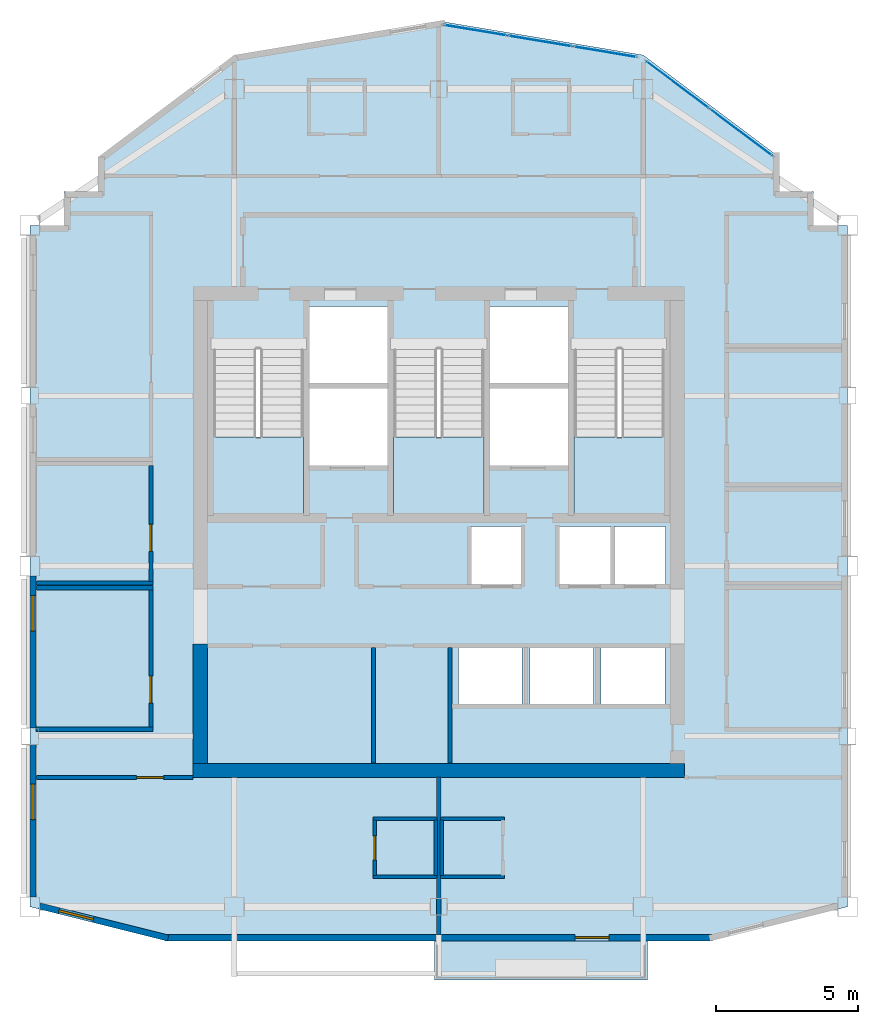
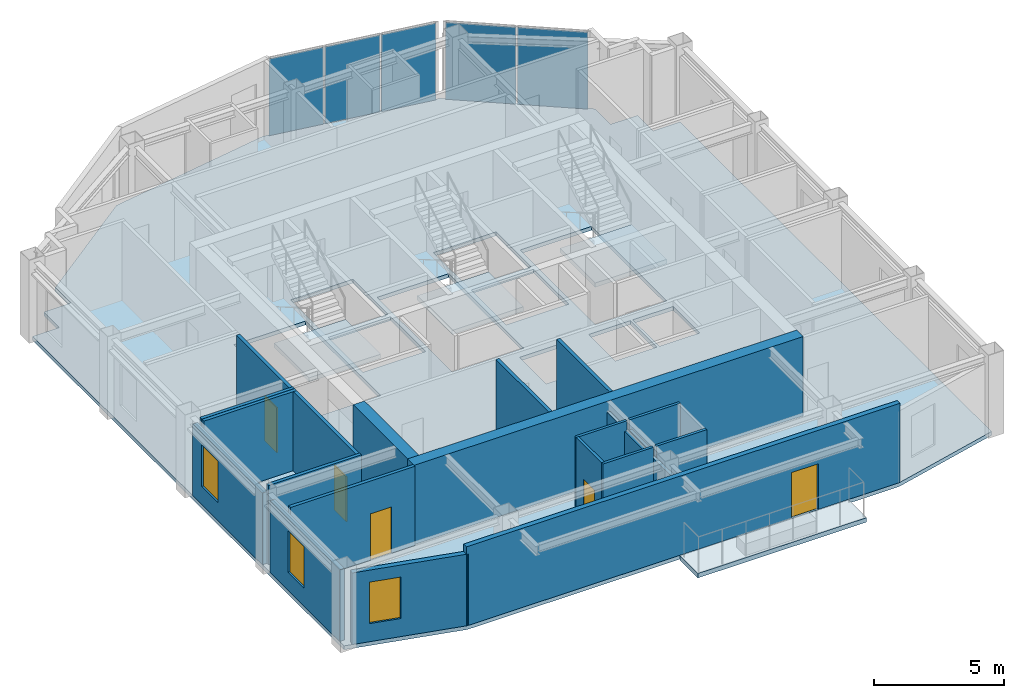
# One storey, part 4 of 8: 22 walls, 5 doors, 5 plates, 5 slabs, 3 windows, 8 openings, 5 elements without a shape of their own.
"""IFC4 building model written with IfcOpenShell, lengths in metres."""

from ifc_helpers import new_model, si_unit, direction, frame, frame_2d, origin, origin_2d, place, context, subcontext, project, spatial, polyline, rectangle, outline, extrude, material, layer, layer_set, type_object, element, fill, aggregate, save


model = new_model("IFC4")

# Units and contexts
model_context = context("Model", 3, precision=1e-05, world=origin(), true_north=direction((0.0, 1.0)))
body_context = subcontext(model_context, "Body", "Model", "MODEL_VIEW")
ifc_project = project(units=[si_unit("LENGTHUNIT", "METRE"), si_unit("AREAUNIT", "SQUARE_METRE"), si_unit("VOLUMEUNIT", "CUBIC_METRE"), si_unit("PLANEANGLEUNIT", "RADIAN"), si_unit("MASSUNIT", "GRAM", prefix="KILO")], contexts=[model_context])

# Site, building, storey
site_placement = place(None, origin())
site = spatial("IfcSite", under=ifc_project, at=site_placement, CompositionType="ELEMENT")
building_placement = place(site_placement, origin())
building = spatial("IfcBuilding", under=site, at=building_placement, Name="Haolan Belvedere Tower", CompositionType="ELEMENT")
storey_placement = place(building_placement, frame((0.0, 0.0, 293.89990234375)))
storey = spatial("IfcBuildingStorey", under=building, at=storey_placement, Name="L74", CompositionType="ELEMENT", Elevation=293.89990234375)

# Curtain wall, plates
ifc_material_1 = material(Name="Anodised champagne-silver aluminium 6063-T6 and Low-E glass", Category="aluminium")
ifc_layer_1 = layer(ifc_material_1, 0.14501953125, Name="Anodised champagne-silver aluminium 6063-T6 and Low-E glass")
ifc_layer_set_1 = layer_set([ifc_layer_1], Name="Anodised champagne-silver aluminium 6063-T6 and Low-E glass")
curtain_wall_type = type_object("IfcCurtainWallType", Name="CW-SYS-05", PredefinedType="NOTDEFINED", material=ifc_layer_set_1)
curtain_wall_1_placement = place(storey_placement, origin())
curtain_wall_1 = element("IfcCurtainWall", 1, at=curtain_wall_1_placement, inside=storey, type_object=curtain_wall_type, Name="L74 CW-SYS-05 ribbon curtain wall 8.1", PredefinedType="NOTDEFINED")
ifc_material_2 = material(Name="Double silver Low-E laminated insulating glass", Category="glass")
ifc_layer_2 = layer(ifc_material_2, 0.02197265625, Name="Double silver Low-E laminated insulating glass")
ifc_layer_set_2 = layer_set([ifc_layer_2], Name="Double silver Low-E laminated insulating glass")
plate_type = type_object("IfcPlateType", Name="CW-SYS-05-PNL", PredefinedType="CURTAIN_PANEL", material=ifc_layer_set_2)
plate_1_placement = place(storey_placement, frame((49.03955078125, 48.8828125, 0.050048828125), z_axis=(0.0, 0.0, 1.0), x_axis=(-0.799997871638, 0.600002837806, 0.0)))
plate_1 = element("IfcPlate", 2, at=plate_1_placement, type_object=plate_type, Name="CW-05 panel 1.1", PredefinedType="CURTAIN_PANEL", context=body_context, shape_type="SweptSolid", body=[
    extrude(rectangle(XDim=2.738037109375, YDim=0.02197265625, at=origin_2d()), origin(), (0.0, 0.0, 1.0), 3.6201171875),
])
plate_2_placement = place(storey_placement, frame((46.805908203125, 50.55810546875, 0.050048828125), z_axis=(0.0, 0.0, 1.0), x_axis=(-0.799997871638, 0.600002837806, 0.0)))
plate_2 = element("IfcPlate", 3, at=plate_2_placement, type_object=plate_type, Name="CW-05 panel 2.1", PredefinedType="CURTAIN_PANEL", context=body_context, shape_type="SweptSolid", body=[
    extrude(rectangle(XDim=2.738037109375, YDim=0.02197265625, at=origin_2d()), origin(), (0.0, 0.0, 1.0), 3.6201171875),
])
aggregate(curtain_wall_1, [plate_1, plate_2])

curtain_wall_2_placement = place(storey_placement, origin())
curtain_wall_2 = element("IfcCurtainWall", 4, at=curtain_wall_2_placement, inside=storey, type_object=curtain_wall_type, Name="L74 CW-SYS-05 ribbon curtain wall 9.1", PredefinedType="NOTDEFINED")
plate_3_placement = place(storey_placement, frame((44.257568359375, 51.712158203125, 0.050048828125), z_axis=(0.0, 0.0, 1.0), x_axis=(-0.98639276122, 0.164405962825, 0.0)))
plate_3 = element("IfcPlate", 5, at=plate_3_placement, type_object=plate_type, Name="CW-05 panel 1.1", PredefinedType="CURTAIN_PANEL", context=body_context, shape_type="SweptSolid", body=[
    extrude(rectangle(XDim=2.24365234375, YDim=0.02197265625, at=origin_2d()), origin(), (0.0, 0.0, 1.0), 3.6201171875),
])
plate_4_placement = place(storey_placement, frame((41.977783203125, 52.09228515625, 0.050048828125), z_axis=(0.0, 0.0, 1.0), x_axis=(-0.98639276122, 0.164405962825, 0.0)))
plate_4 = element("IfcPlate", 6, at=plate_4_placement, type_object=plate_type, Name="CW-05 panel 2.1", PredefinedType="CURTAIN_PANEL", context=body_context, shape_type="SweptSolid", body=[
    extrude(rectangle(XDim=2.270751953125, YDim=0.02197265625, at=origin_2d()), origin(), (0.0, 0.0, 1.0), 3.6201171875),
])
plate_5_placement = place(storey_placement, frame((39.697998046875, 52.47216796875, 0.050048828125), z_axis=(0.0, 0.0, 1.0), x_axis=(-0.98639276122, 0.164405962825, 0.0)))
plate_5 = element("IfcPlate", 7, at=plate_5_placement, type_object=plate_type, Name="CW-05 panel 3.1", PredefinedType="CURTAIN_PANEL", context=body_context, shape_type="SweptSolid", body=[
    extrude(rectangle(XDim=2.24365234375, YDim=0.02197265625, at=origin_2d()), origin(), (0.0, 0.0, 1.0), 3.6201171875),
])
aggregate(curtain_wall_2, [plate_3, plate_4, plate_5])

# Slabs
ifc_material_3 = material(Name="Concrete C40/50", Category="concrete")
ifc_layer_3 = layer(ifc_material_3, 0.2099609375, Name="Concrete C40/50")
ifc_layer_set_3 = layer_set([ifc_layer_3], Name="Concrete C40/50")
slab_type_1 = type_object("IfcSlabType", Name="SL-BAL-210", PredefinedType="FLOOR", material=ifc_layer_set_3)
slab_1_placement = place(storey_placement, frame((0.0, 0.0, -0.22998046875)))
element("IfcSlab", 8, at=slab_1_placement, inside=storey, type_object=slab_type_1, Name="L74 structural tree-planter balcony slab BAL-L74-S1", PredefinedType="FLOOR", context=body_context, shape_type="SweptSolid", body=[
    extrude(outline(polyline([(38.25, 19.02001953125), (45.75, 19.02001953125), (45.75, 20.39990234375), (38.25, 20.39990234375), (38.25, 19.02001953125)])), origin(), (0.0, 0.0, 1.0), 0.2099609375),
])
ifc_layer_4 = layer(ifc_material_3, 0.179931640625, Name="Concrete C40/50")
ifc_layer_set_4 = layer_set([ifc_layer_4], Name="Concrete C40/50")
slab_type_2 = type_object("IfcSlabType", Name="SL-FLR-180", PredefinedType="FLOOR", material=ifc_layer_set_4)
slab_2_placement = place(storey_placement, frame((0.0, 0.0, -0.179931640625)))
element("IfcSlab", 9, at=slab_2_placement, inside=storey, type_object=slab_type_2, Name="L74 structural floor slab", PredefinedType="FLOOR", context=body_context, shape_type="SweptSolid", body=[
    extrude(outline(polyline([(24.0, 21.60009765625), (28.800048828125, 20.39990234375), (48.0, 20.39990234375), (52.800048828125, 21.60009765625), (52.800048828125, 45.60009765625), (52.800048828125, 45.60009765625), (51.60009765625, 45.60009765625), (51.60009765625, 46.800048828125), (50.39990234375, 46.800048828125), (50.39990234375, 48.0), (45.60009765625, 51.60009765625), (38.39990234375, 52.800048828125), (31.199951171875, 51.60009765625), (26.39990234375, 48.0), (26.39990234375, 46.800048828125), (25.199951171875, 46.800048828125), (25.199951171875, 45.60009765625), (24.0, 45.60009765625), (24.0, 45.60009765625), (24.0, 21.60009765625)]), holes=[polyline([(30.449951171875, 41.22998046875), (30.449951171875, 35.449951171875), (33.6298828125, 35.449951171875), (33.6298828125, 41.22998046875), (30.449951171875, 41.22998046875)]), polyline([(36.81005859375, 41.22998046875), (36.81005859375, 35.449951171875), (39.989990234375, 35.449951171875), (39.989990234375, 41.22998046875), (36.81005859375, 41.22998046875)]), polyline([(43.169921875, 41.22998046875), (43.169921875, 35.449951171875), (46.35009765625, 35.449951171875), (46.35009765625, 41.22998046875), (43.169921875, 41.22998046875)]), polyline([(33.830078125, 40.050048828125), (36.610107421875, 40.050048828125), (36.610107421875, 42.75), (33.830078125, 42.75), (33.830078125, 40.050048828125)]), polyline([(33.830078125, 37.14990234375), (36.610107421875, 37.14990234375), (36.610107421875, 39.85009765625), (33.830078125, 39.85009765625), (33.830078125, 37.14990234375)]), polyline([(40.18994140625, 40.050048828125), (42.969970703125, 40.050048828125), (42.969970703125, 42.75), (40.18994140625, 42.75), (40.18994140625, 40.050048828125)]), polyline([(40.18994140625, 37.14990234375), (42.969970703125, 37.14990234375), (42.969970703125, 39.85009765625), (40.18994140625, 39.85009765625), (40.18994140625, 37.14990234375)]), polyline([(39.5400390625, 32.949951171875), (41.389892578125, 32.949951171875), (41.389892578125, 35.0), (39.5400390625, 35.0), (39.5400390625, 32.949951171875)]), polyline([(42.6201171875, 32.949951171875), (44.469970703125, 32.949951171875), (44.469970703125, 35.0), (42.6201171875, 35.0), (42.6201171875, 32.949951171875)]), polyline([(44.580078125, 32.949951171875), (46.3798828125, 32.949951171875), (46.3798828125, 35.0), (44.580078125, 35.0), (44.580078125, 32.949951171875)]), polyline([(39.10009765625, 28.75), (41.340087890625, 28.75), (41.340087890625, 30.75), (39.10009765625, 30.75), (39.10009765625, 28.75)]), polyline([(41.610107421875, 28.75), (43.85009765625, 28.75), (43.85009765625, 30.75), (41.610107421875, 30.75), (41.610107421875, 28.75)]), polyline([(44.1201171875, 28.75), (46.360107421875, 28.75), (46.360107421875, 30.75), (44.1201171875, 30.75), (44.1201171875, 28.75)])]), origin(), (0.0, 0.0, 1.0), 0.179931640625),
])

# Stair, slab
stair_type = type_object("IfcStairType", Name="STR-DL-24R-163", PredefinedType="HALF_TURN_STAIR", material=ifc_material_3)
stair_1_placement = place(storey_placement, origin())
stair_1 = element("IfcStair", 10, at=stair_1_placement, inside=storey, type_object=stair_type, Name="L74 Smokeproof Core Exit Stair ST1", PredefinedType="HALF_TURN_STAIR")
ifc_layer_5 = layer(ifc_material_3, 0.199951171875, Name="Concrete C40/50")
ifc_layer_set_5 = layer_set([ifc_layer_5], Name="Concrete C40/50")
slab_type_3 = type_object("IfcSlabType", Name="SL-LAND-200", PredefinedType="LANDING", material=ifc_layer_set_5)
slab_3_placement = place(storey_placement, frame((0.0, 0.0, 1.75)))
slab_3 = element("IfcSlab", 11, at=slab_3_placement, type_object=slab_type_3, Name="ST1 landing 1", PredefinedType="LANDING", context=body_context, shape_type="SweptSolid", body=[
    extrude(outline(polyline([(30.449951171875, 38.14990234375), (30.449951171875, 35.449951171875), (33.6298828125, 35.449951171875), (33.6298828125, 38.14990234375), (30.449951171875, 38.14990234375)])), origin(), (0.0, 0.0, 1.0), 0.2001953125),
])
aggregate(stair_1, [slab_3])

stair_2_placement = place(storey_placement, origin())
stair_2 = element("IfcStair", 12, at=stair_2_placement, inside=storey, type_object=stair_type, Name="L74 Smokeproof Core Exit Stair ST3", PredefinedType="HALF_TURN_STAIR")
slab_4_placement = place(storey_placement, frame((0.0, 0.0, 1.75)))
slab_4 = element("IfcSlab", 13, at=slab_4_placement, type_object=slab_type_3, Name="ST3 landing 1", PredefinedType="LANDING", context=body_context, shape_type="SweptSolid", body=[
    extrude(outline(polyline([(36.81005859375, 38.14990234375), (36.81005859375, 35.449951171875), (39.989990234375, 35.449951171875), (39.989990234375, 38.14990234375), (36.81005859375, 38.14990234375)])), origin(), (0.0, 0.0, 1.0), 0.2001953125),
])
aggregate(stair_2, [slab_4])

stair_3_placement = place(storey_placement, origin())
stair_3 = element("IfcStair", 14, at=stair_3_placement, inside=storey, type_object=stair_type, Name="L74 Smokeproof Core Exit Stair ST2", PredefinedType="HALF_TURN_STAIR")
slab_5_placement = place(storey_placement, frame((0.0, 0.0, 1.75)))
slab_5 = element("IfcSlab", 15, at=slab_5_placement, type_object=slab_type_3, Name="ST2 landing 1", PredefinedType="LANDING", context=body_context, shape_type="SweptSolid", body=[
    extrude(outline(polyline([(43.169921875, 38.14990234375), (43.169921875, 35.449951171875), (46.35009765625, 35.449951171875), (46.35009765625, 38.14990234375), (43.169921875, 38.14990234375)])), origin(), (0.0, 0.0, 1.0), 0.2001953125),
])
aggregate(stair_3, [slab_5])

# Walls
ifc_material_4 = material(Name="Concrete C50/60", Category="concrete")
ifc_layer_6 = layer(ifc_material_4, 0.5, Name="Concrete C50/60")
ifc_layer_set_6 = layer_set([ifc_layer_6], Name="Concrete C50/60")
wall_type_1 = type_object("IfcWallType", Name="WL-CORE-500", PredefinedType="SHEAR", material=ifc_layer_set_6)
wall_1_placement = place(storey_placement, frame((29.75, 26.39990234375, 0.0), z_axis=(0.0, 0.0, 1.0), x_axis=(1.0, 0.0, 0.0)))
element("IfcWall", 16, at=wall_1_placement, inside=storey, type_object=wall_type_1, Name="L74 central core south shear wall", PredefinedType="SHEAR", context=body_context, shape_type="SweptSolid", body=[
    extrude(rectangle(XDim=17.300048828125, YDim=0.5, at=frame_2d((8.64990234375, 0.0))), origin(), (0.0, 0.0, 1.0), 3.72021484375),
])
wall_2_placement = place(storey_placement, frame((30.0, 26.64990234375, 0.0), z_axis=(0.0, 0.0, 1.0), x_axis=(0.0, 1.0, 0.0)))
element("IfcWall", 17, at=wall_2_placement, inside=storey, type_object=wall_type_1, Name="L74 central core shear wall WS", PredefinedType="SHEAR", context=body_context, shape_type="SweptSolid", body=[
    extrude(rectangle(XDim=4.2001953125, YDim=0.5, at=frame_2d((2.10009765625, 0.0))), origin(), (0.0, 0.0, 1.0), 3.72021484375),
])

# Wall, opening, door
ifc_material_5 = material(Name="Precast concrete C40/50", Category="concrete")
ifc_layer_7 = layer(ifc_material_5, 0.219970703125, Name="Precast concrete C40/50")
ifc_layer_set_7 = layer_set([ifc_layer_7], Name="Precast concrete C40/50")
wall_type_2 = type_object("IfcWallType", Name="WL-EXT-220", PredefinedType="SOLIDWALL", material=ifc_layer_set_7)
wall_3_placement = place(storey_placement, frame((28.758544921875, 20.510009765625, 0.0), z_axis=(0.0, 0.0, 1.0), x_axis=(1.0, 0.0, 0.0)))
wall_3 = element("IfcWall", 18, at=wall_3_placement, inside=storey, type_object=wall_type_2, Name="L74 pale-metal exterior spandrel wall 1.1", PredefinedType="SOLIDWALL", context=body_context, shape_type="SweptSolid", body=[
    extrude(rectangle(XDim=19.282958984375, YDim=0.219970703125, at=frame_2d((9.6416015625, 0.0))), origin(), (0.0, 0.0, 1.0), 3.72021484375),
])
opening_1_placement = place(wall_3_placement, frame((15.641357421875, 0.0, 0.0), z_axis=(0.0, 0.0, 1.0), x_axis=(-1.0, 0.0, 0.0)))
opening_1 = element("IfcOpeningElement", 19, at=opening_1_placement, cuts=wall_3, Name="Opening BD-01", PredefinedType="OPENING", context=body_context, shape_type="SweptSolid", body=[
    extrude(rectangle(XDim=1.199951171875, YDim=2.14990234375, at=frame_2d((0.60009765625, 1.074951171875))), frame((0.0, 0.119873046875, 0.0), z_axis=(0.0, -1.0, 0.0), x_axis=(1.0, 0.0, 0.0)), (0.0, 0.0, 1.0), 0.239990234375),
])
ifc_material_6 = material(Name="Thermally broken pale-metal aluminium and Low-E glass", Category="aluminium")
door_type_1 = type_object("IfcDoorType", Name="DR-BAL-1200", OperationType="NOTDEFINED", PredefinedType="DOOR", material=ifc_material_6)
door_1_placement = place(opening_1_placement, origin())
door_1 = element("IfcDoor", 20, at=door_1_placement, inside=storey, type_object=door_type_1, Name="L74 tree-balcony access door 1", OperationType="SINGLE_SWING_RIGHT", OverallHeight=2.14990234375, OverallWidth=1.199951171875, PredefinedType="DOOR", context=body_context, shape_type="SweptSolid", body=[
    extrude(rectangle(XDim=1.199951171875, YDim=2.14990234375, at=frame_2d((0.60009765625, 1.074951171875))), frame((0.0, 0.02490234375, 0.0), z_axis=(0.0, -1.0, 0.0), x_axis=(1.0, 0.0, 0.0)), (0.0, 0.0, 1.0), 0.050048828125),
])
fill(opening_1, door_1)

# Wall, opening, window
wall_4_placement = place(storey_placement, frame((24.110107421875, 33.258056640625, 0.0), z_axis=(0.0, 0.0, 1.0), x_axis=(0.0, -1.0, 0.0)))
wall_4 = element("IfcWall", 21, at=wall_4_placement, inside=storey, type_object=wall_type_2, Name="L74 pale-metal exterior spandrel wall 16.3", PredefinedType="SOLIDWALL", context=body_context, shape_type="SweptSolid", body=[
    extrude(rectangle(XDim=5.365966796875, YDim=0.219970703125, at=frame_2d((2.68310546875, 0.0))), origin(), (0.0, 0.0, 1.0), 3.364990234375),
])
opening_2_placement = place(wall_4_placement, frame((0.699951171875, 0.0, 0.85009765625)))
opening_2 = element("IfcOpeningElement", 22, at=opening_2_placement, cuts=wall_4, Name="Opening W-04", PredefinedType="OPENING", context=body_context, shape_type="SweptSolid", body=[
    extrude(rectangle(XDim=1.25, YDim=1.949951171875, at=frame_2d((0.625, 0.97509765625))), frame((0.0, 0.119873046875, 0.0), z_axis=(0.0, -1.0, 0.0), x_axis=(1.0, 0.0, 0.0)), (0.0, 0.0, 1.0), 0.239990234375),
])
ifc_material_7 = material(Name="Anodised aluminium 6063-T6 and Low-E glass", Category="aluminium")
window_type = type_object("IfcWindowType", Name="WN-DECO-Z4", PartitioningType="SINGLE_PANEL", PredefinedType="WINDOW", material=ifc_material_7)
window_1_placement = place(opening_2_placement, origin())
window_1 = element("IfcWindow", 23, at=window_1_placement, inside=storey, type_object=window_type, Name="L74 Art Deco chevron window 1", OverallHeight=1.949951171875, OverallWidth=1.25, PartitioningType="SINGLE_PANEL", PredefinedType="WINDOW", context=body_context, shape_type="SweptSolid", body=[
    extrude(rectangle(XDim=1.25, YDim=1.949951171875, at=frame_2d((0.625, 0.97509765625))), frame((0.0, 0.030029296875, 0.0), z_axis=(0.0, -1.0, 0.0), x_axis=(1.0, 0.0, 0.0)), (0.0, 0.0, 1.0), 0.06005859375),
])
fill(opening_2, window_1)

wall_5_placement = place(storey_placement, frame((24.110107421875, 27.30810546875, 0.0), z_axis=(0.0, 0.0, 1.0), x_axis=(0.0, -1.0, 0.0)))
wall_5 = element("IfcWall", 24, at=wall_5_placement, inside=storey, type_object=wall_type_2, Name="L74 pale-metal exterior spandrel wall 16.4", PredefinedType="SOLIDWALL", context=body_context, shape_type="SweptSolid", body=[
    extrude(rectangle(XDim=5.3662109375, YDim=0.219970703125, at=frame_2d((2.68310546875, 0.0))), origin(), (0.0, 0.0, 1.0), 3.364990234375),
])
opening_3_placement = place(wall_5_placement, frame((1.39306640625, 0.0, 0.85009765625)))
opening_3 = element("IfcOpeningElement", 25, at=opening_3_placement, cuts=wall_5, Name="Opening W-04", PredefinedType="OPENING", context=body_context, shape_type="SweptSolid", body=[
    extrude(rectangle(XDim=1.25, YDim=1.949951171875, at=frame_2d((0.625, 0.97509765625))), frame((0.0, 0.119873046875, 0.0), z_axis=(0.0, -1.0, 0.0), x_axis=(1.0, 0.0, 0.0)), (0.0, 0.0, 1.0), 0.239990234375),
])
window_2_placement = place(opening_3_placement, origin())
window_2 = element("IfcWindow", 26, at=window_2_placement, inside=storey, type_object=window_type, Name="L74 Art Deco chevron window 1", OverallHeight=1.949951171875, OverallWidth=1.25, PartitioningType="SINGLE_PANEL", PredefinedType="WINDOW", context=body_context, shape_type="SweptSolid", body=[
    extrude(rectangle(XDim=1.25, YDim=1.949951171875, at=frame_2d((0.625, 0.97509765625))), frame((0.0, 0.030029296875, 0.0), z_axis=(0.0, -1.0, 0.0), x_axis=(1.0, 0.0, 0.0)), (0.0, 0.0, 1.0), 0.06005859375),
])
fill(opening_3, window_2)

wall_6_placement = place(storey_placement, frame((24.342041015625, 21.6279296875, 0.0), z_axis=(0.0, 0.0, 1.0), x_axis=(0.970136341762, -0.242560257242, 0.0)))
wall_6 = element("IfcWall", 27, at=wall_6_placement, inside=storey, type_object=wall_type_2, Name="L74 pale-metal exterior spandrel wall 17.1", PredefinedType="SOLIDWALL", context=body_context, shape_type="SweptSolid", body=[
    extrude(rectangle(XDim=4.664306640625, YDim=0.219970703125, at=frame_2d((2.33203125, 0.0))), origin(), (0.0, 0.0, 1.0), 3.364990234375),
])
opening_4_placement = place(wall_6_placement, frame((0.699951171875, 0.0, 0.85009765625)))
opening_4 = element("IfcOpeningElement", 28, at=opening_4_placement, cuts=wall_6, Name="Opening W-04", PredefinedType="OPENING", context=body_context, shape_type="SweptSolid", body=[
    extrude(rectangle(XDim=1.25, YDim=1.949951171875, at=frame_2d((0.625, 0.97509765625))), frame((0.0, 0.119873046875, 0.0), z_axis=(0.0, -1.0, 0.0), x_axis=(1.0, 0.0, 0.0)), (0.0, 0.0, 1.0), 0.239990234375),
])
window_3_placement = place(opening_4_placement, origin())
window_3 = element("IfcWindow", 29, at=window_3_placement, inside=storey, type_object=window_type, Name="L74 Art Deco chevron window 1", OverallHeight=1.949951171875, OverallWidth=1.25, PartitioningType="SINGLE_PANEL", PredefinedType="WINDOW", context=body_context, shape_type="SweptSolid", body=[
    extrude(rectangle(XDim=1.25, YDim=1.949951171875, at=frame_2d((0.625, 0.97509765625))), frame((0.0, 0.030029296875, 0.0), z_axis=(0.0, -1.0, 0.0), x_axis=(1.0, 0.0, 0.0)), (0.0, 0.0, 1.0), 0.06005859375),
])
fill(opening_4, window_3)

# Walls
ifc_material_8 = material(Name="Double gypsum acoustic stud partition", Category="masonry")
ifc_layer_8 = layer(ifc_material_8, 0.14990234375, Name="Double gypsum acoustic stud partition")
ifc_layer_set_8 = layer_set([ifc_layer_8], Name="Double gypsum acoustic stud partition")
wall_type_3 = type_object("IfcWallType", Name="WL-PART-150", PredefinedType="PARTITIONING", material=ifc_layer_set_8)
wall_7_placement = place(storey_placement, frame((36.10009765625, 26.659912109375, 0.0), z_axis=(0.0, 0.0, 1.0), x_axis=(0.0, 1.0, 0.0)))
element("IfcWall", 30, at=wall_7_placement, inside=storey, type_object=wall_type_3, Name="L74 interior partition IW-L74-DIV-REUSE-PM", PredefinedType="PARTITIONING", context=body_context, shape_type="SweptSolid", body=[
    extrude(rectangle(XDim=4.0751953125, YDim=0.14990234375, at=frame_2d((2.03759765625, 0.0))), origin(), (0.0, 0.0, 1.0), 3.72021484375),
])
wall_8_placement = place(storey_placement, frame((24.2119140625, 33.0, 0.0), z_axis=(0.0, 0.0, 1.0), x_axis=(1.0, 0.0, 0.0)))
element("IfcWall", 31, at=wall_8_placement, inside=storey, type_object=wall_type_3, Name="L74 interior partition IW-L74-HSK-S", PredefinedType="PARTITIONING", context=body_context, shape_type="SweptSolid", body=[
    extrude(rectangle(XDim=4.128173828125, YDim=0.14990234375, at=frame_2d((2.06396484375, 0.0))), origin(), (0.0, 0.0, 1.0), 3.72021484375),
])

# Wall, opening, door
wall_9_placement = place(storey_placement, frame((28.260009765625, 33.06005859375, 0.0), z_axis=(0.0, 0.0, 1.0), x_axis=(0.0, 1.0, 0.0)))
wall_9 = element("IfcWall", 32, at=wall_9_placement, inside=storey, type_object=wall_type_3, Name="L74 interior partition IW-L74-HSK-E", PredefinedType="PARTITIONING", context=body_context, shape_type="SweptSolid", body=[
    extrude(rectangle(XDim=4.079833984375, YDim=0.14990234375, at=frame_2d((2.0400390625, 0.0))), origin(), (0.0, 0.0, 1.0), 3.72021484375),
])
opening_5_placement = place(wall_9_placement, frame((2.010009765625, 0.0, 0.0), z_axis=(0.0, 0.0, 1.0), x_axis=(-1.0, 0.0, 0.0)))
opening_5 = element("IfcOpeningElement", 33, at=opening_5_placement, cuts=wall_9, Name="Opening ID-03", PredefinedType="OPENING", context=body_context, shape_type="SweptSolid", body=[
    extrude(rectangle(XDim=0.949951171875, YDim=2.1201171875, at=frame_2d((0.47509765625, 1.06005859375))), frame((0.0, 0.0849609375, 0.0), z_axis=(0.0, -1.0, 0.0), x_axis=(1.0, 0.0, 0.0)), (0.0, 0.0, 1.0), 0.169921875),
])
ifc_material_9 = material(Name="Painted solid-core timber", Category="wood")
door_type_2 = type_object("IfcDoorType", Name="DR-INT-950", OperationType="NOTDEFINED", PredefinedType="DOOR", material=ifc_material_9)
door_2_placement = place(opening_5_placement, origin())
door_2 = element("IfcDoor", 34, at=door_2_placement, inside=storey, type_object=door_type_2, Name="L74 door ID-L74-HSK", OperationType="SINGLE_SWING_LEFT", OverallHeight=2.1201171875, OverallWidth=0.949951171875, PredefinedType="DOOR", context=body_context, shape_type="SweptSolid", body=[
    extrude(rectangle(XDim=0.949951171875, YDim=2.1201171875, at=frame_2d((0.47509765625, 1.06005859375))), frame((0.0, 0.02490234375, 0.0), z_axis=(0.0, -1.0, 0.0), x_axis=(1.0, 0.0, 0.0)), (0.0, 0.0, 1.0), 0.050048828125),
])
fill(opening_5, door_2)

# Walls
for number, where, z_axis, x_axis, name in (
    (35, (24.2119140625, 32.840087890625, 0.0), (0.0, 0.0, 1.0), (1.0, 0.0, 0.0), "L74 interior partition IW-L74-PKTW-N"),
    (36, (24.2119140625, 27.85009765625, 0.0), (0.0, 0.0, 1.0), (1.0, 0.0, 0.0), "L74 interior partition IW-L74-PKTW-S"),
):
    element("IfcWall", number, at=place(storey_placement, frame(where, z_axis=z_axis, x_axis=x_axis)), inside=storey, type_object=wall_type_3, Name=name, PredefinedType="PARTITIONING", context=body_context, shape_type="SweptSolid", body=[
        extrude(rectangle(XDim=4.128173828125, YDim=0.14990234375, at=frame_2d((2.06396484375, 0.0))), origin(), (0.0, 0.0, 1.0), 3.72021484375),
    ])

# Wall, opening, door
wall_10_placement = place(storey_placement, frame((28.260009765625, 27.909912109375, 0.0), z_axis=(0.0, 0.0, 1.0), x_axis=(0.0, 1.0, 0.0)))
wall_10 = element("IfcWall", 37, at=wall_10_placement, inside=storey, type_object=wall_type_3, Name="L74 interior partition IW-L74-PKTW-E", PredefinedType="PARTITIONING", context=body_context, shape_type="SweptSolid", body=[
    extrude(rectangle(XDim=4.8701171875, YDim=0.14990234375, at=frame_2d((2.43505859375, 0.0))), origin(), (0.0, 0.0, 1.0), 3.72021484375),
])
opening_6_placement = place(wall_10_placement, frame((1.81005859375, 0.0, 0.0), z_axis=(0.0, 0.0, 1.0), x_axis=(-1.0, 0.0, 0.0)))
opening_6 = element("IfcOpeningElement", 38, at=opening_6_placement, cuts=wall_10, Name="Opening ID-03", PredefinedType="OPENING", context=body_context, shape_type="SweptSolid", body=[
    extrude(rectangle(XDim=0.949951171875, YDim=2.1201171875, at=frame_2d((0.47509765625, 1.06005859375))), frame((0.0, 0.0849609375, 0.0), z_axis=(0.0, -1.0, 0.0), x_axis=(1.0, 0.0, 0.0)), (0.0, 0.0, 1.0), 0.169921875),
])
door_3_placement = place(opening_6_placement, origin())
door_3 = element("IfcDoor", 39, at=door_3_placement, inside=storey, type_object=door_type_2, Name="L74 door ID-L74-PKTW", OperationType="SINGLE_SWING_LEFT", OverallHeight=2.1201171875, OverallWidth=0.949951171875, PredefinedType="DOOR", context=body_context, shape_type="SweptSolid", body=[
    extrude(rectangle(XDim=0.949951171875, YDim=2.1201171875, at=frame_2d((0.47509765625, 1.06005859375))), frame((0.0, 0.02490234375, 0.0), z_axis=(0.0, -1.0, 0.0), x_axis=(1.0, 0.0, 0.0)), (0.0, 0.0, 1.0), 0.050048828125),
])
fill(opening_6, door_3)

wall_11_placement = place(storey_placement, frame((24.2119140625, 26.14990234375, 0.0), z_axis=(0.0, 0.0, 1.0), x_axis=(1.0, 0.0, 0.0)))
wall_11 = element("IfcWall", 40, at=wall_11_placement, inside=storey, type_object=wall_type_3, Name="L74 interior partition IW-L74-KS1-N", PredefinedType="PARTITIONING", context=body_context, shape_type="SweptSolid", body=[
    extrude(rectangle(XDim=5.5361328125, YDim=0.14990234375, at=frame_2d((2.76806640625, 0.0))), origin(), (0.0, 0.0, 1.0), 3.72021484375),
])
opening_7_placement = place(wall_11_placement, frame((4.494873046875, 0.0, 0.0), z_axis=(0.0, 0.0, 1.0), x_axis=(-1.0, 0.0, 0.0)))
opening_7 = element("IfcOpeningElement", 41, at=opening_7_placement, cuts=wall_11, Name="Opening ID-01", PredefinedType="OPENING", context=body_context, shape_type="SweptSolid", body=[
    extrude(rectangle(XDim=0.949951171875, YDim=2.179931640625, at=frame_2d((0.47509765625, 1.08984375))), frame((0.0, 0.0849609375, 0.0), z_axis=(0.0, -1.0, 0.0), x_axis=(1.0, 0.0, 0.0)), (0.0, 0.0, 1.0), 0.169921875),
])
ifc_material_10 = material(Name="Acoustic walnut veneer fire-rated timber", Category="wood")
door_type_3 = type_object("IfcDoorType", Name="DR-SUITE-950", OperationType="NOTDEFINED", PredefinedType="DOOR", material=ifc_material_10)
door_4_placement = place(opening_7_placement, origin())
door_4 = element("IfcDoor", 42, at=door_4_placement, inside=storey, type_object=door_type_3, Name="L74 door ID-L74-KS1-ENT", OperationType="SINGLE_SWING_RIGHT", OverallHeight=2.179931640625, OverallWidth=0.949951171875, PredefinedType="DOOR", context=body_context, shape_type="SweptSolid", body=[
    extrude(rectangle(XDim=0.949951171875, YDim=2.179931640625, at=frame_2d((0.47509765625, 1.08984375))), frame((0.0, 0.02490234375, 0.0), z_axis=(0.0, -1.0, 0.0), x_axis=(1.0, 0.0, 0.0)), (0.0, 0.0, 1.0), 0.050048828125),
])
fill(opening_7, door_4)

# Walls
wall_12_placement = place(storey_placement, frame((38.39990234375, 20.612060546875, 0.0), z_axis=(0.0, 0.0, 1.0), x_axis=(0.0, 1.0, 0.0)))
element("IfcWall", 43, at=wall_12_placement, inside=storey, type_object=wall_type_3, Name="L74 interior partition IW-L74-KS1-E", PredefinedType="PARTITIONING", context=body_context, shape_type="SweptSolid", body=[
    extrude(rectangle(XDim=5.552978515625, YDim=0.14990234375, at=frame_2d((2.7763671875, 0.0))), origin(), (0.0, 0.0, 1.0), 3.205078125),
])
ifc_material_11 = material(Name="Gypsum fire shaftwall assembly", Category="masonry")
ifc_layer_9 = layer(ifc_material_11, 0.1650390625, Name="Gypsum fire shaftwall assembly")
ifc_layer_set_9 = layer_set([ifc_layer_9], Name="Gypsum fire shaftwall assembly")
wall_type_4 = type_object("IfcWallType", Name="WL-SHAFT-160", PredefinedType="SOLIDWALL", material=ifc_layer_set_9)
wall_13_placement = place(storey_placement, frame((38.800048828125, 26.659912109375, 0.0), z_axis=(0.0, 0.0, 1.0), x_axis=(0.0, 1.0, 0.0)))
element("IfcWall", 44, at=wall_13_placement, inside=storey, type_object=wall_type_4, Name="L74 interior partition IW-L74-DIV-PM-OB", PredefinedType="SOLIDWALL", context=body_context, shape_type="SweptSolid", body=[
    extrude(rectangle(XDim=4.0751953125, YDim=0.14990234375, at=frame_2d((2.03759765625, 0.0))), origin(), (0.0, 0.0, 1.0), 3.72021484375),
])
ifc_material_12 = material(Name="Moisture-resistant gypsum tile partition", Category="masonry")
ifc_layer_10 = layer(ifc_material_12, 0.1201171875, Name="Moisture-resistant gypsum tile partition")
ifc_layer_set_10 = layer_set([ifc_layer_10], Name="Moisture-resistant gypsum tile partition")
wall_type_5 = type_object("IfcWallType", Name="WL-WET-120", PredefinedType="PARTITIONING", material=ifc_layer_set_10)
for number, where, z_axis, x_axis, name in (
    (45, (36.090087890625, 24.699951171875, 0.0), (0.0, 0.0, 1.0), (1.0, 0.0, 0.0), "L74 interior partition IW-L74-KS1-BN"),
    (46, (36.090087890625, 22.64990234375, 0.0), (0.0, 0.0, 1.0), (1.0, 0.0, 0.0), "L74 interior partition IW-L74-KS1-BS"),
):
    element("IfcWall", number, at=place(storey_placement, frame(where, z_axis=z_axis, x_axis=x_axis)), inside=storey, type_object=wall_type_5, Name=name, PredefinedType="PARTITIONING", context=body_context, shape_type="SweptSolid", body=[
        extrude(rectangle(XDim=2.25, YDim=0.1201171875, at=frame_2d((1.125, 0.0))), origin(), (0.0, 0.0, 1.0), 3.72021484375),
    ])

# Wall, opening, door
wall_14_placement = place(storey_placement, frame((36.14990234375, 22.695068359375, 0.0), z_axis=(0.0, 0.0, 1.0), x_axis=(0.0, 1.0, 0.0)))
wall_14 = element("IfcWall", 47, at=wall_14_placement, inside=storey, type_object=wall_type_5, Name="L74 interior partition IW-L74-KS1-BW", PredefinedType="PARTITIONING", context=body_context, shape_type="SweptSolid", body=[
    extrude(rectangle(XDim=1.9599609375, YDim=0.1201171875, at=frame_2d((0.97998046875, 0.0))), origin(), (0.0, 0.0, 1.0), 3.72021484375),
])
opening_8_placement = place(wall_14_placement, frame((1.405029296875, 0.0, 0.0), z_axis=(0.0, 0.0, 1.0), x_axis=(-1.0, 0.0, 0.0)))
opening_8 = element("IfcOpeningElement", 48, at=opening_8_placement, cuts=wall_14, Name="Opening ID-05", PredefinedType="OPENING", context=body_context, shape_type="SweptSolid", body=[
    extrude(rectangle(XDim=0.85009765625, YDim=2.10009765625, at=frame_2d((0.425048828125, 1.050048828125))), frame((0.0, 0.070068359375, 0.0), z_axis=(0.0, -1.0, 0.0), x_axis=(1.0, 0.0, 0.0)), (0.0, 0.0, 1.0), 0.14013671875),
])
ifc_material_13 = material(Name="Moisture-resistant lacquered timber", Category="wood")
door_type_4 = type_object("IfcDoorType", Name="DR-BATH-850", OperationType="NOTDEFINED", PredefinedType="DOOR", material=ifc_material_13)
door_5_placement = place(opening_8_placement, origin())
door_5 = element("IfcDoor", 49, at=door_5_placement, inside=storey, type_object=door_type_4, Name="L74 door ID-L74-KS1-BATH", OperationType="SINGLE_SWING_LEFT", OverallHeight=2.10009765625, OverallWidth=0.85009765625, PredefinedType="DOOR", context=body_context, shape_type="SweptSolid", body=[
    extrude(rectangle(XDim=0.85009765625, YDim=2.10009765625, at=frame_2d((0.425048828125, 1.050048828125))), frame((0.0, 0.02490234375, 0.0), z_axis=(0.0, -1.0, 0.0), x_axis=(1.0, 0.0, 0.0)), (0.0, 0.0, 1.0), 0.050048828125),
])
fill(opening_8, door_5)

# Walls
wall_15_placement = place(storey_placement, frame((38.300048828125, 22.695068359375, 0.0), z_axis=(0.0, 0.0, 1.0), x_axis=(0.0, 1.0, 0.0)))
element("IfcWall", 50, at=wall_15_placement, inside=storey, type_object=wall_type_5, Name="L74 interior partition IW-L74-KS1-BE", PredefinedType="PARTITIONING", context=body_context, shape_type="SweptSolid", body=[
    extrude(rectangle(XDim=1.9599609375, YDim=0.1201171875, at=frame_2d((0.97998046875, 0.0))), origin(), (0.0, 0.0, 1.0), 3.255126953125),
])
for number, where, z_axis, x_axis, name in (
    (51, (38.4599609375, 24.699951171875, 0.0), (0.0, 0.0, 1.0), (1.0, 0.0, 0.0), "L74 interior partition IW-L74-KS2-BN"),
    (52, (38.4599609375, 22.64990234375, 0.0), (0.0, 0.0, 1.0), (1.0, 0.0, 0.0), "L74 interior partition IW-L74-KS2-BS"),
):
    element("IfcWall", number, at=place(storey_placement, frame(where, z_axis=z_axis, x_axis=x_axis)), inside=storey, type_object=wall_type_5, Name=name, PredefinedType="PARTITIONING", context=body_context, shape_type="SweptSolid", body=[
        extrude(rectangle(XDim=2.25, YDim=0.1201171875, at=frame_2d((1.125, 0.0))), origin(), (0.0, 0.0, 1.0), 3.72021484375),
    ])
wall_16_placement = place(storey_placement, frame((38.5, 22.695068359375, 0.0), z_axis=(0.0, 0.0, 1.0), x_axis=(0.0, 1.0, 0.0)))
element("IfcWall", 53, at=wall_16_placement, inside=storey, type_object=wall_type_5, Name="L74 interior partition IW-L74-KS2-BW", PredefinedType="PARTITIONING", context=body_context, shape_type="SweptSolid", body=[
    extrude(rectangle(XDim=1.9599609375, YDim=0.1201171875, at=frame_2d((0.97998046875, 0.0))), origin(), (0.0, 0.0, 1.0), 3.255126953125),
])

save(model, "model.ifc")
